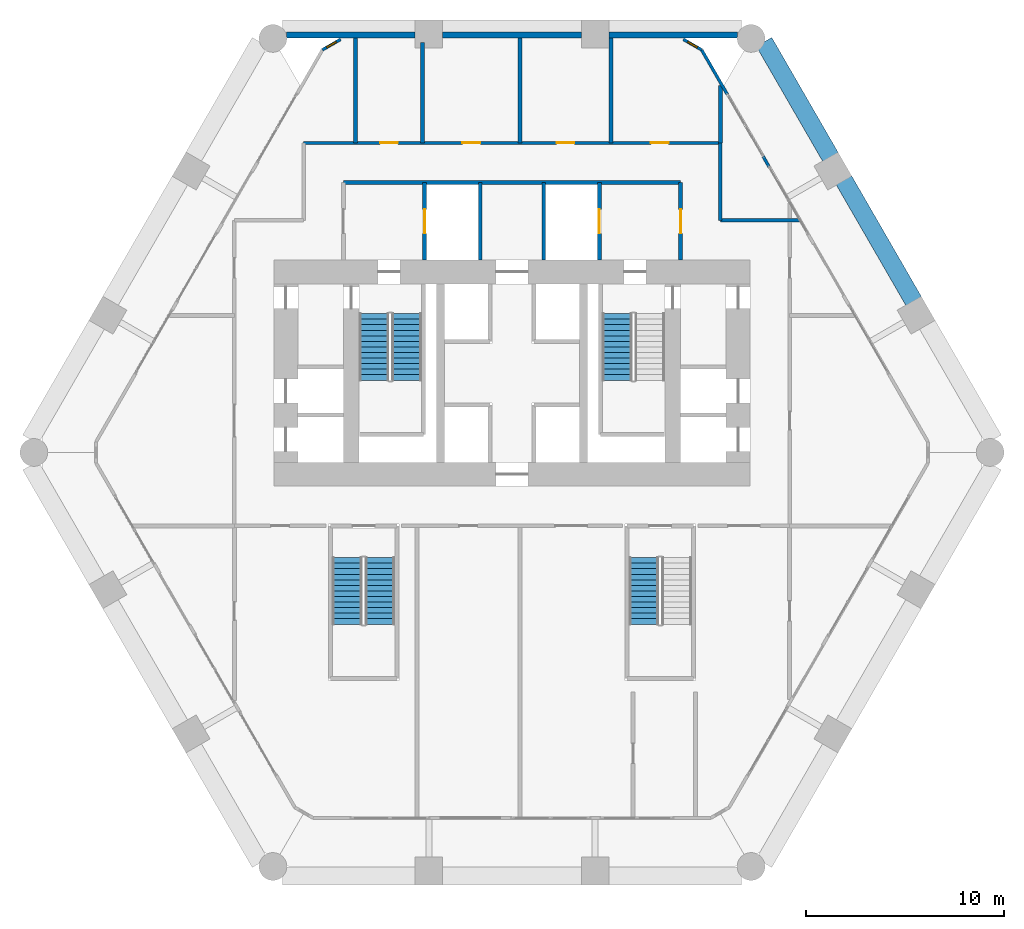
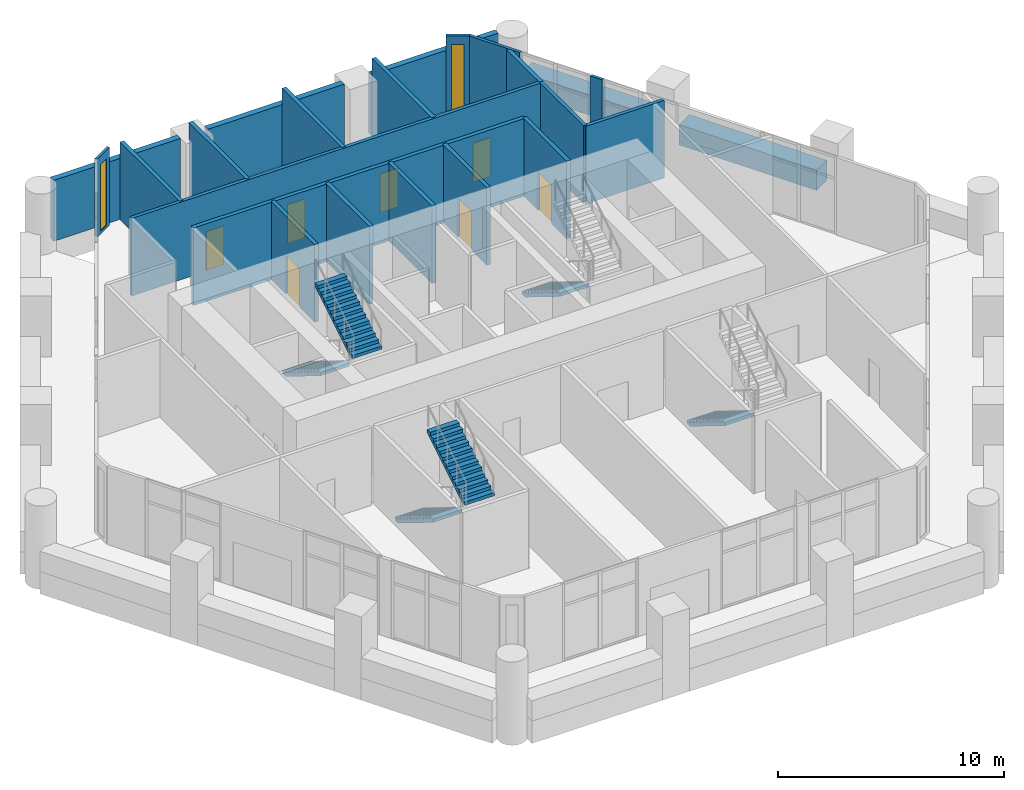
# One storey, part 16 of 18: 23 walls, 7 doors, 6 stair flights, 2 windows, 9 openings, 4 elements without a shape of their own.
"""IFC4 building model written with IfcOpenShell, lengths in metres."""

from ifc_helpers import new_model, si_unit, direction, frame, frame_2d, origin, place, context, subcontext, project, spatial, polyline, rectangle, outline, extrude, material, layer, layer_set, type_object, element, fill, aggregate, save


model = new_model("IFC4")

# Units and contexts
model_context = context("Model", 3, precision=1e-05, world=origin(), true_north=direction((0.0, 1.0)))
body_context = subcontext(model_context, "Body", "Model", "MODEL_VIEW")
ifc_project = project(units=[si_unit("LENGTHUNIT", "METRE"), si_unit("AREAUNIT", "SQUARE_METRE"), si_unit("VOLUMEUNIT", "CUBIC_METRE"), si_unit("PLANEANGLEUNIT", "RADIAN"), si_unit("MASSUNIT", "GRAM", prefix="KILO")], contexts=[model_context])

# Site, building, storey
site_placement = place(None, origin())
site = spatial("IfcSite", under=ifc_project, at=site_placement, CompositionType="ELEMENT")
building_placement = place(site_placement, origin())
building = spatial("IfcBuilding", under=site, at=building_placement, Name="Ostrander Bayou Hotel Tower", CompositionType="ELEMENT")
storey_placement = place(building_placement, frame((0.0, 0.0, 19.0)))
storey = spatial("IfcBuildingStorey", under=building, at=storey_placement, Name="L04", CompositionType="ELEMENT", Elevation=19.0)

# Walls
ifc_material_1 = material(Name="Aluminium framed insulated wall", Category="aluminium")
ifc_layer_1 = layer(ifc_material_1, 0.14990234375)
ifc_layer_set_1 = layer_set([ifc_layer_1], Name="GW1 glass-line wall 150 mm")
wall_type_1 = type_object("IfcWallType", Name="GW1 glass-line wall 150 mm", PredefinedType="SOLIDWALL", material=ifc_layer_set_1)
wall_1_placement = place(storey_placement, frame((10.8564453125, 18.0458984375, 0.0), z_axis=(0.0, 0.0, 1.0), x_axis=(-0.499945140294, 0.866057074734, 0.0)))
element("IfcWall", 1, at=wall_1_placement, inside=storey, type_object=wall_type_1, Name="GW1 L04 NE end 2", PredefinedType="SOLIDWALL", context=body_context, shape_type="SweptSolid", body=[
    extrude(rectangle(XDim=2.593994140625, YDim=0.14990234375, at=frame_2d((1.296875, 0.0))), origin(), (0.0, 0.0, 1.0), 4.199951171875),
])
wall_2_placement = place(storey_placement, frame((12.95654296875, 14.40869140625, 0.0), z_axis=(0.0, 0.0, 1.0), x_axis=(-0.50012165622, 0.865955154139, 0.0)))
element("IfcWall", 2, at=wall_2_placement, inside=storey, type_object=wall_type_1, Name="GW1 L04 NE pier 5", PredefinedType="SOLIDWALL", context=body_context, shape_type="SweptSolid", body=[
    extrude(rectangle(XDim=0.599853515625, YDim=0.14990234375, at=frame_2d((0.2998046875, 0.0))), origin(), (0.0, 0.0, 1.0), 4.199951171875),
])

# Wall, opening, window
wall_3_placement = place(storey_placement, frame((-8.63720703125, 20.824951171875, 0.0), z_axis=(0.0, 0.0, 1.0), x_axis=(-0.866048165231, -0.499960573946, 0.0)))
wall_3 = element("IfcWall", 3, at=wall_3_placement, inside=storey, type_object=wall_type_1, Name="GW1 L04 corner 1", PredefinedType="SOLIDWALL", context=body_context, shape_type="SweptSolid", body=[
    extrude(rectangle(XDim=1.06494140625, YDim=0.14990234375, at=frame_2d((0.532470703125, 0.0))), origin(), (0.0, 0.0, 1.0), 4.199951171875),
])
opening_1_placement = place(wall_3_placement, frame((0.257568359375, 0.0, 0.14990234375)))
opening_1 = element("IfcOpeningElement", 4, at=opening_1_placement, cuts=wall_3, Name="Opening W19", PredefinedType="OPENING", context=body_context, shape_type="SweptSolid", body=[
    extrude(rectangle(XDim=0.550048828125, YDim=3.60009765625, at=frame_2d((0.27490234375, 1.800048828125))), frame((0.0, 0.074951171875, 0.0), z_axis=(0.0, -1.0, 0.0), x_axis=(1.0, 0.0, 0.0)), (0.0, 0.0, 1.0), 0.14990234375),
])
ifc_material_2 = material(Name="Aluminium and clear glass", Category="aluminium")
window_type = type_object("IfcWindowType", Name="W19 corner window 550 mm", PartitioningType="SINGLE_PANEL", PredefinedType="WINDOW", material=ifc_material_2)
window_1_placement = place(opening_1_placement, origin())
window_1 = element("IfcWindow", 5, at=window_1_placement, inside=storey, type_object=window_type, Name="W19 L04 corner 1", OverallHeight=3.60009765625, OverallWidth=0.550048828125, PartitioningType="SINGLE_PANEL", PredefinedType="WINDOW", context=body_context, shape_type="SweptSolid", body=[
    extrude(rectangle(XDim=0.550048828125, YDim=3.60009765625, at=frame_2d((0.27490234375, 1.800048828125))), frame((0.0, 0.030029296875, 0.0), z_axis=(0.0, -1.0, 0.0), x_axis=(1.0, 0.0, 0.0)), (0.0, 0.0, 1.0), 0.06005859375),
])
fill(opening_1, window_1)

wall_4_placement = place(storey_placement, frame((9.5595703125, 20.29248046875, 0.0), z_axis=(0.0, 0.0, 1.0), x_axis=(-0.866048165231, 0.499960573946, 0.0)))
wall_4 = element("IfcWall", 6, at=wall_4_placement, inside=storey, type_object=wall_type_1, Name="GW1 L04 corner 6", PredefinedType="SOLIDWALL", context=body_context, shape_type="SweptSolid", body=[
    extrude(rectangle(XDim=1.06494140625, YDim=0.14990234375, at=frame_2d((0.532470703125, 0.0))), origin(), (0.0, 0.0, 1.0), 4.199951171875),
])
opening_2_placement = place(wall_4_placement, frame((0.257568359375, 0.0, 0.14990234375)))
opening_2 = element("IfcOpeningElement", 7, at=opening_2_placement, cuts=wall_4, Name="Opening W19", PredefinedType="OPENING", context=body_context, shape_type="SweptSolid", body=[
    extrude(rectangle(XDim=0.550048828125, YDim=3.60009765625, at=frame_2d((0.27490234375, 1.800048828125))), frame((0.0, 0.074951171875, 0.0), z_axis=(0.0, -1.0, 0.0), x_axis=(1.0, 0.0, 0.0)), (0.0, 0.0, 1.0), 0.14990234375),
])
window_2_placement = place(opening_2_placement, origin())
window_2 = element("IfcWindow", 8, at=window_2_placement, inside=storey, type_object=window_type, Name="W19 L04 corner 6", OverallHeight=3.60009765625, OverallWidth=0.550048828125, PartitioningType="SINGLE_PANEL", PredefinedType="WINDOW", context=body_context, shape_type="SweptSolid", body=[
    extrude(rectangle(XDim=0.550048828125, YDim=3.60009765625, at=frame_2d((0.27490234375, 1.800048828125))), frame((0.0, 0.030029296875, 0.0), z_axis=(0.0, -1.0, 0.0), x_axis=(1.0, 0.0, 0.0)), (0.0, 0.0, 1.0), 0.06005859375),
])
fill(opening_2, window_2)

# Walls
ifc_material_3 = material(Name="Reconstituted stone on masonry backing", Category="masonry")
ifc_layer_2 = layer(ifc_material_3, 0.300048828125)
ifc_layer_set_2 = layer_set([ifc_layer_2], Name="NW1 north stone wall 300 mm")
wall_type_2 = type_object("IfcWallType", Name="NW1 north stone wall 300 mm", PredefinedType="SOLIDWALL", material=ifc_layer_set_2)
wall_5_placement = place(storey_placement, frame((11.376708984375, 21.050048828125, 0.0), z_axis=(0.0, 0.0, 1.0), x_axis=(-1.0, 0.0, 0.0)))
element("IfcWall", 9, at=wall_5_placement, inside=storey, type_object=wall_type_2, Name="NW1 L04 N-1", PredefinedType="SOLIDWALL", context=body_context, shape_type="SweptSolid", body=[
    extrude(rectangle(XDim=6.481201171875, YDim=0.300048828125, at=frame_2d((3.24072265625, 0.0))), origin(), (0.0, 0.0, 1.0), 3.300048828125),
])
wall_6_placement = place(storey_placement, frame((3.495361328125, 21.050048828125, 0.0), z_axis=(0.0, 0.0, 1.0), x_axis=(-1.0, 0.0, 0.0)))
element("IfcWall", 10, at=wall_6_placement, inside=storey, type_object=wall_type_2, Name="NW1 L04 N-2", PredefinedType="SOLIDWALL", context=body_context, shape_type="SweptSolid", body=[
    extrude(rectangle(XDim=6.99072265625, YDim=0.300048828125, at=frame_2d((3.495361328125, 0.0))), origin(), (0.0, 0.0, 1.0), 3.300048828125),
])
wall_7_placement = place(storey_placement, frame((-4.8955078125, 21.050048828125, 0.0), z_axis=(0.0, 0.0, 1.0), x_axis=(-1.0, 0.0, 0.0)))
element("IfcWall", 11, at=wall_7_placement, inside=storey, type_object=wall_type_2, Name="NW1 L04 N-3", PredefinedType="SOLIDWALL", context=body_context, shape_type="SweptSolid", body=[
    extrude(rectangle(XDim=6.481201171875, YDim=0.300048828125, at=frame_2d((3.24072265625, 0.0))), origin(), (0.0, 0.0, 1.0), 3.300048828125),
])
ifc_material_4 = material(Name="Concrete f'c 40 MPa", Category="concrete")
ifc_layer_3 = layer(ifc_material_4, 0.89990234375)
ifc_layer_set_3 = layer_set([ifc_layer_3], Name="PA1 stone-faced parapet 900 mm")
wall_type_3 = type_object("IfcWallType", Name="PA1 stone-faced parapet 900 mm", PredefinedType="PARAPET", material=ifc_layer_set_3)
wall_8_placement = place(storey_placement, frame((20.252197265625, 7.621826171875, 0.0), z_axis=(0.0, 0.0, 1.0), x_axis=(-0.499997206141, 0.866027016814, 0.0)))
element("IfcWall", 12, at=wall_8_placement, inside=storey, type_object=wall_type_3, Name="PA1 L04 NE-2", PredefinedType="PARAPET", context=body_context, shape_type="SweptSolid", body=[
    extrude(rectangle(XDim=7.05078125, YDim=0.89990234375, at=frame_2d((3.525390625, 0.0))), origin(), (0.0, 0.0, 1.0), 1.10009765625),
])
wall_9_placement = place(storey_placement, frame((16.056884765625, 14.888671875, 0.0), z_axis=(0.0, 0.0, 1.0), x_axis=(-0.500005133765, 0.866022439784, 0.0)))
element("IfcWall", 13, at=wall_9_placement, inside=storey, type_object=wall_type_3, Name="PA1 L04 NE-3", PredefinedType="PARAPET", context=body_context, shape_type="SweptSolid", body=[
    extrude(rectangle(XDim=6.70361328125, YDim=0.89990234375, at=frame_2d((3.351806640625, 0.0))), origin(), (0.0, 0.0, 1.0), 1.10009765625),
])
ifc_material_5 = material(Name="Gypsum board partition", Category="finish")
ifc_layer_4 = layer(ifc_material_5, 0.199951171875)
ifc_layer_set_4 = layer_set([ifc_layer_4], Name="PT3 demising wall 200 mm acoustic double stud, 1 hour")
wall_type_4 = type_object("IfcWallType", Name="PT3 demising wall 200 mm acoustic double stud, 1 hour", PredefinedType="PARTITIONING", material=ifc_layer_set_4)
wall_10_placement = place(storey_placement, frame((-7.89990234375, 15.60009765625, 0.0), z_axis=(0.0, 0.0, 1.0), x_axis=(0.0, 1.0, 0.0)))
element("IfcWall", 14, at=wall_10_placement, inside=storey, type_object=wall_type_4, Name="sw:L04:016", PredefinedType="PARTITIONING", context=body_context, shape_type="SweptSolid", body=[
    extrude(rectangle(XDim=5.294921875, YDim=0.199951171875, at=frame_2d((2.6474609375, 0.0))), origin(), (0.0, 0.0, 1.0), 4.199951171875),
])
wall_11_placement = place(storey_placement, frame((-4.5, 15.60009765625, 0.0), z_axis=(0.0, 0.0, 1.0), x_axis=(0.0, 1.0, 0.0)))
element("IfcWall", 15, at=wall_11_placement, inside=storey, type_object=wall_type_4, Name="sw:L04:018", PredefinedType="PARTITIONING", context=body_context, shape_type="SweptSolid", body=[
    extrude(rectangle(XDim=5.06982421875, YDim=0.199951171875, at=frame_2d((2.534912109375, 0.0))), origin(), (0.0, 0.0, 1.0), 4.199951171875),
])
for number, where, z_axis, x_axis, name in (
    (16, (0.39990234375, 15.60009765625, 0.0), (0.0, 0.0, 1.0), (0.0, 1.0, 0.0), "sw:L04:020"),
    (17, (5.0, 15.60009765625, 0.0), (0.0, 0.0, 1.0), (0.0, 1.0, 0.0), "sw:L04:021"),
):
    element("IfcWall", number, at=place(storey_placement, frame(where, z_axis=z_axis, x_axis=x_axis)), inside=storey, type_object=wall_type_4, Name=name, PredefinedType="PARTITIONING", context=body_context, shape_type="SweptSolid", body=[
        extrude(rectangle(XDim=5.294921875, YDim=0.199951171875, at=frame_2d((2.6474609375, 0.0))), origin(), (0.0, 0.0, 1.0), 4.199951171875),
    ])
wall_12_placement = place(storey_placement, frame((10.5, 15.60009765625, 0.0), z_axis=(0.0, 0.0, 1.0), x_axis=(0.0, 1.0, 0.0)))
element("IfcWall", 18, at=wall_12_placement, inside=storey, type_object=wall_type_4, Name="sw:L04:024", PredefinedType="PARTITIONING", context=body_context, shape_type="SweptSolid", body=[
    extrude(rectangle(XDim=2.908447265625, YDim=0.199951171875, at=frame_2d((1.4541015625, 0.0))), origin(), (0.0, 0.0, 1.0), 4.199951171875),
])
ifc_material_6 = material(Name="Gypsum board partition", Category="finish")
ifc_layer_5 = layer(ifc_material_6, 0.175048828125)
ifc_layer_set_5 = layer_set([ifc_layer_5], Name="PT4 corridor wall 175 mm, 1 hour")
wall_type_5 = type_object("IfcWallType", Name="PT4 corridor wall 175 mm, 1 hour", PredefinedType="PARTITIONING", material=ifc_layer_set_5)
wall_13_placement = place(storey_placement, frame((10.5, 11.699951171875, 0.0), z_axis=(0.0, 0.0, 1.0), x_axis=(1.0, 0.0, 0.0)))
element("IfcWall", 19, at=wall_13_placement, inside=storey, type_object=wall_type_5, Name="sw:L04:005", PredefinedType="PARTITIONING", context=body_context, shape_type="SweptSolid", body=[
    extrude(rectangle(XDim=3.999267578125, YDim=0.175048828125, at=frame_2d((1.99951171875, 0.0))), origin(), (0.0, 0.0, 1.0), 4.199951171875),
])

# Wall, openings, doors
wall_14_placement = place(storey_placement, frame((-10.5, 15.60009765625, 0.0), z_axis=(0.0, 0.0, 1.0), x_axis=(1.0, 0.0, 0.0)))
wall_14 = element("IfcWall", 20, at=wall_14_placement, inside=storey, type_object=wall_type_5, Name="sw:L04:006", PredefinedType="PARTITIONING", context=body_context, shape_type="SweptSolid", body=[
    extrude(rectangle(XDim=21.0, YDim=0.175048828125, at=frame_2d((10.5, 0.0))), origin(), (0.0, 0.0, 1.0), 4.199951171875),
])
opening_3_placement = place(wall_14_placement, frame((3.85009765625, 0.0, 0.0)))
opening_3 = element("IfcOpeningElement", 21, at=opening_3_placement, cuts=wall_14, Name="Opening T04-210", PredefinedType="OPENING", context=body_context, shape_type="SweptSolid", body=[
    extrude(rectangle(XDim=0.89990234375, YDim=2.10009765625, at=frame_2d((0.449951171875, 1.050048828125))), frame((0.0, 0.08740234375, 0.0), z_axis=(0.0, -1.0, 0.0), x_axis=(1.0, 0.0, 0.0)), (0.0, 0.0, 1.0), 0.175048828125),
])
opening_4_placement = place(wall_14_placement, frame((8.0, 0.0, 0.0)))
opening_4 = element("IfcOpeningElement", 22, at=opening_4_placement, cuts=wall_14, Name="Opening T04-211", PredefinedType="OPENING", context=body_context, shape_type="SweptSolid", body=[
    extrude(rectangle(XDim=0.89990234375, YDim=2.10009765625, at=frame_2d((0.449951171875, 1.050048828125))), frame((0.0, 0.08740234375, 0.0), z_axis=(0.0, -1.0, 0.0), x_axis=(1.0, 0.0, 0.0)), (0.0, 0.0, 1.0), 0.175048828125),
])
opening_5_placement = place(wall_14_placement, frame((12.75, 0.0, 0.0)))
opening_5 = element("IfcOpeningElement", 23, at=opening_5_placement, cuts=wall_14, Name="Opening T04-212", PredefinedType="OPENING", context=body_context, shape_type="SweptSolid", body=[
    extrude(rectangle(XDim=0.89990234375, YDim=2.10009765625, at=frame_2d((0.449951171875, 1.050048828125))), frame((0.0, 0.08740234375, 0.0), z_axis=(0.0, -1.0, 0.0), x_axis=(1.0, 0.0, 0.0)), (0.0, 0.0, 1.0), 0.175048828125),
])
opening_6_placement = place(wall_14_placement, frame((17.5, 0.0, 0.0)))
opening_6 = element("IfcOpeningElement", 24, at=opening_6_placement, cuts=wall_14, Name="Opening T04-213", PredefinedType="OPENING", context=body_context, shape_type="SweptSolid", body=[
    extrude(rectangle(XDim=0.89990234375, YDim=2.10009765625, at=frame_2d((0.449951171875, 1.050048828125))), frame((0.0, 0.08740234375, 0.0), z_axis=(0.0, -1.0, 0.0), x_axis=(1.0, 0.0, 0.0)), (0.0, 0.0, 1.0), 0.175048828125),
])
ifc_material_7 = material(Name="Timber door leaf", Category="wood")
door_type_1 = type_object("IfcDoorType", Name="D8 room door 900 x 2100 mm", OperationType="SINGLE_SWING_LEFT", PredefinedType="DOOR", material=ifc_material_7)
door_1_placement = place(opening_3_placement, origin())
door_1 = element("IfcDoor", 25, at=door_1_placement, inside=storey, type_object=door_type_1, Name="dr:L04:210", OperationType="SINGLE_SWING_RIGHT", OverallHeight=2.10009765625, OverallWidth=0.89990234375, PredefinedType="DOOR", context=body_context, shape_type="SweptSolid", body=[
    extrude(rectangle(XDim=0.89990234375, YDim=2.10009765625, at=frame_2d((0.449951171875, 1.050048828125))), frame((0.0, 0.02490234375, 0.0), z_axis=(0.0, -1.0, 0.0), x_axis=(1.0, 0.0, 0.0)), (0.0, 0.0, 1.0), 0.050048828125),
])
fill(opening_3, door_1)
door_2_placement = place(opening_4_placement, origin())
door_2 = element("IfcDoor", 26, at=door_2_placement, inside=storey, type_object=door_type_1, Name="dr:L04:211", OperationType="SINGLE_SWING_LEFT", OverallHeight=2.10009765625, OverallWidth=0.89990234375, PredefinedType="DOOR", context=body_context, shape_type="SweptSolid", body=[
    extrude(rectangle(XDim=0.89990234375, YDim=2.10009765625, at=frame_2d((0.449951171875, 1.050048828125))), frame((0.0, 0.02490234375, 0.0), z_axis=(0.0, -1.0, 0.0), x_axis=(1.0, 0.0, 0.0)), (0.0, 0.0, 1.0), 0.050048828125),
])
fill(opening_4, door_2)
door_3_placement = place(opening_5_placement, origin())
door_3 = element("IfcDoor", 27, at=door_3_placement, inside=storey, type_object=door_type_1, Name="dr:L04:212", OperationType="SINGLE_SWING_RIGHT", OverallHeight=2.10009765625, OverallWidth=0.89990234375, PredefinedType="DOOR", context=body_context, shape_type="SweptSolid", body=[
    extrude(rectangle(XDim=0.89990234375, YDim=2.10009765625, at=frame_2d((0.449951171875, 1.050048828125))), frame((0.0, 0.02490234375, 0.0), z_axis=(0.0, -1.0, 0.0), x_axis=(1.0, 0.0, 0.0)), (0.0, 0.0, 1.0), 0.050048828125),
])
fill(opening_5, door_3)
door_4_placement = place(opening_6_placement, origin())
door_4 = element("IfcDoor", 28, at=door_4_placement, inside=storey, type_object=door_type_1, Name="dr:L04:213", OperationType="SINGLE_SWING_LEFT", OverallHeight=2.10009765625, OverallWidth=0.89990234375, PredefinedType="DOOR", context=body_context, shape_type="SweptSolid", body=[
    extrude(rectangle(XDim=0.89990234375, YDim=2.10009765625, at=frame_2d((0.449951171875, 1.050048828125))), frame((0.0, 0.02490234375, 0.0), z_axis=(0.0, -1.0, 0.0), x_axis=(1.0, 0.0, 0.0)), (0.0, 0.0, 1.0), 0.050048828125),
])
fill(opening_6, door_4)

# Walls
wall_15_placement = place(storey_placement, frame((10.5, 11.699951171875, 0.0), z_axis=(0.0, 0.0, 1.0), x_axis=(0.0, 1.0, 0.0)))
element("IfcWall", 29, at=wall_15_placement, inside=storey, type_object=wall_type_5, Name="sw:L04:009", PredefinedType="PARTITIONING", context=body_context, shape_type="SweptSolid", body=[
    extrude(rectangle(XDim=3.900146484375, YDim=0.175048828125, at=frame_2d((1.9501953125, 0.0))), origin(), (0.0, 0.0, 1.0), 4.199951171875),
])
ifc_material_8 = material(Name="Masonry block", Category="masonry")
ifc_layer_6 = layer(ifc_material_8, 0.199951171875)
ifc_layer_set_6 = layer_set([ifc_layer_6], Name="PT5 stair enclosure wall 200 mm masonry, 2 hour")
wall_type_6 = type_object("IfcWallType", Name="PT5 stair enclosure wall 200 mm masonry, 2 hour", PredefinedType="PARTITIONING", material=ifc_layer_set_6)
wall_16_placement = place(storey_placement, frame((-8.5, 13.60009765625, 0.0), z_axis=(0.0, 0.0, 1.0), x_axis=(1.0, 0.0, 0.0)))
element("IfcWall", 30, at=wall_16_placement, inside=storey, type_object=wall_type_6, Name="cs:L04:021", PredefinedType="PARTITIONING", context=body_context, shape_type="SweptSolid", body=[
    extrude(rectangle(XDim=17.0, YDim=0.199951171875, at=frame_2d((8.5, 0.0))), origin(), (0.0, 0.0, 1.0), 4.199951171875),
])

# Wall, opening, door
wall_17_placement = place(storey_placement, frame((8.5, 9.699951171875, 0.0), z_axis=(0.0, 0.0, 1.0), x_axis=(0.0, 1.0, 0.0)))
wall_17 = element("IfcWall", 31, at=wall_17_placement, inside=storey, type_object=wall_type_6, Name="cs:L04:023", PredefinedType="PARTITIONING", context=body_context, shape_type="SweptSolid", body=[
    extrude(rectangle(XDim=3.900146484375, YDim=0.199951171875, at=frame_2d((1.9501953125, 0.0))), origin(), (0.0, 0.0, 1.0), 4.199951171875),
])
opening_7_placement = place(wall_17_placement, frame((1.35009765625, 0.0, 0.0)))
opening_7 = element("IfcOpeningElement", 32, at=opening_7_placement, cuts=wall_17, Name="Opening T04-012", PredefinedType="OPENING", context=body_context, shape_type="SweptSolid", body=[
    extrude(rectangle(XDim=1.199951171875, YDim=2.10009765625, at=frame_2d((0.60009765625, 1.050048828125))), frame((0.0, 0.10009765625, 0.0), z_axis=(0.0, -1.0, 0.0), x_axis=(1.0, 0.0, 0.0)), (0.0, 0.0, 1.0), 0.199951171875),
])
ifc_material_9 = material(Name="Timber door leaf", Category="wood")
door_type_2 = type_object("IfcDoorType", Name="D7 lobby door 1200 x 2100 mm, 1 hour", OperationType="SINGLE_SWING_LEFT", PredefinedType="DOOR", material=ifc_material_9)
door_5_placement = place(opening_7_placement, origin())
door_5 = element("IfcDoor", 33, at=door_5_placement, inside=storey, type_object=door_type_2, Name="dr:L04:012", OperationType="SINGLE_SWING_LEFT", OverallHeight=2.10009765625, OverallWidth=1.199951171875, PredefinedType="DOOR", context=body_context, shape_type="SweptSolid", body=[
    extrude(rectangle(XDim=1.199951171875, YDim=2.10009765625, at=frame_2d((0.60009765625, 1.050048828125))), frame((0.0, 0.02490234375, 0.0), z_axis=(0.0, -1.0, 0.0), x_axis=(1.0, 0.0, 0.0)), (0.0, 0.0, 1.0), 0.050048828125),
])
fill(opening_7, door_5)

wall_18_placement = place(storey_placement, frame((-4.39990234375, 9.699951171875, 0.0), z_axis=(0.0, 0.0, 1.0), x_axis=(0.0, 1.0, 0.0)))
wall_18 = element("IfcWall", 34, at=wall_18_placement, inside=storey, type_object=wall_type_6, Name="cs:L04:024", PredefinedType="PARTITIONING", context=body_context, shape_type="SweptSolid", body=[
    extrude(rectangle(XDim=3.900146484375, YDim=0.199951171875, at=frame_2d((1.9501953125, 0.0))), origin(), (0.0, 0.0, 1.0), 4.199951171875),
])
opening_8_placement = place(wall_18_placement, frame((1.35009765625, 0.0, 0.0)))
opening_8 = element("IfcOpeningElement", 35, at=opening_8_placement, cuts=wall_18, Name="Opening T04-009", PredefinedType="OPENING", context=body_context, shape_type="SweptSolid", body=[
    extrude(rectangle(XDim=1.199951171875, YDim=2.10009765625, at=frame_2d((0.60009765625, 1.050048828125))), frame((0.0, 0.10009765625, 0.0), z_axis=(0.0, -1.0, 0.0), x_axis=(1.0, 0.0, 0.0)), (0.0, 0.0, 1.0), 0.199951171875),
])
ifc_material_10 = material(Name="Stainless steel sliding door", Category="steel")
door_type_3 = type_object("IfcDoorType", Name="LD1 lift landing door 1200 x 2100 mm", OperationType="SINGLE_SWING_LEFT", PredefinedType="DOOR", material=ifc_material_10)
door_6_placement = place(opening_8_placement, origin())
door_6 = element("IfcDoor", 36, at=door_6_placement, inside=storey, type_object=door_type_3, Name="dr:L04:009", OperationType="SLIDING_TO_LEFT", OverallHeight=2.10009765625, OverallWidth=1.199951171875, PredefinedType="DOOR", context=body_context, shape_type="SweptSolid", body=[
    extrude(rectangle(XDim=1.199951171875, YDim=2.10009765625, at=frame_2d((0.60009765625, 1.050048828125))), frame((0.0, 0.02490234375, 0.0), z_axis=(0.0, -1.0, 0.0), x_axis=(1.0, 0.0, 0.0)), (0.0, 0.0, 1.0), 0.050048828125),
])
fill(opening_8, door_6)

wall_19_placement = place(storey_placement, frame((4.39990234375, 9.699951171875, 0.0), z_axis=(0.0, 0.0, 1.0), x_axis=(0.0, 1.0, 0.0)))
wall_19 = element("IfcWall", 37, at=wall_19_placement, inside=storey, type_object=wall_type_6, Name="cs:L04:025", PredefinedType="PARTITIONING", context=body_context, shape_type="SweptSolid", body=[
    extrude(rectangle(XDim=3.900146484375, YDim=0.199951171875, at=frame_2d((1.9501953125, 0.0))), origin(), (0.0, 0.0, 1.0), 4.199951171875),
])
opening_9_placement = place(wall_19_placement, frame((1.35009765625, 0.0, 0.0)))
opening_9 = element("IfcOpeningElement", 38, at=opening_9_placement, cuts=wall_19, Name="Opening T04-011", PredefinedType="OPENING", context=body_context, shape_type="SweptSolid", body=[
    extrude(rectangle(XDim=1.199951171875, YDim=2.10009765625, at=frame_2d((0.60009765625, 1.050048828125))), frame((0.0, 0.10009765625, 0.0), z_axis=(0.0, -1.0, 0.0), x_axis=(1.0, 0.0, 0.0)), (0.0, 0.0, 1.0), 0.199951171875),
])
door_7_placement = place(opening_9_placement, origin())
door_7 = element("IfcDoor", 39, at=door_7_placement, inside=storey, type_object=door_type_3, Name="dr:L04:011", OperationType="SLIDING_TO_LEFT", OverallHeight=2.10009765625, OverallWidth=1.199951171875, PredefinedType="DOOR", context=body_context, shape_type="SweptSolid", body=[
    extrude(rectangle(XDim=1.199951171875, YDim=2.10009765625, at=frame_2d((0.60009765625, 1.050048828125))), frame((0.0, 0.02490234375, 0.0), z_axis=(0.0, -1.0, 0.0), x_axis=(1.0, 0.0, 0.0)), (0.0, 0.0, 1.0), 0.050048828125),
])
fill(opening_9, door_7)

# Walls
ifc_material_11 = material(Name="Masonry block", Category="masonry")
ifc_layer_7 = layer(ifc_material_11, 0.199951171875)
ifc_layer_set_7 = layer_set([ifc_layer_7], Name="PT6 lift shaft wall 200 mm masonry, 2 hour")
wall_type_7 = type_object("IfcWallType", Name="PT6 lift shaft wall 200 mm masonry, 2 hour", PredefinedType="PARTITIONING", material=ifc_layer_set_7)
for number, where, z_axis, x_axis, name in (
    (40, (-1.60009765625, 9.699951171875, 0.0), (0.0, 0.0, 1.0), (0.0, 1.0, 0.0), "cs:L04:026"),
    (41, (1.60009765625, 9.699951171875, 0.0), (0.0, 0.0, 1.0), (0.0, 1.0, 0.0), "cs:L04:027"),
):
    element("IfcWall", number, at=place(storey_placement, frame(where, z_axis=z_axis, x_axis=x_axis)), inside=storey, type_object=wall_type_7, Name=name, PredefinedType="PARTITIONING", context=body_context, shape_type="SweptSolid", body=[
        extrude(rectangle(XDim=3.900146484375, YDim=0.199951171875, at=frame_2d((1.9501953125, 0.0))), origin(), (0.0, 0.0, 1.0), 4.199951171875),
    ])

# Stair, stair flights
ifc_material_12 = material(Name="Concrete f'c 45 MPa", Category="concrete")
stair_type = type_object("IfcStairType", Name="ST1 exit stair 1500 mm f'c 45 MPa", PredefinedType="HALF_TURN_STAIR", material=ifc_material_12)
stair_1_placement = place(storey_placement, origin())
stair_1 = element("IfcStair", 42, at=stair_1_placement, inside=storey, type_object=stair_type, Name="L04 exit stair A", PredefinedType="HALF_TURN_STAIR")
ifc_material_13 = material(Name="Concrete f'c 45 MPa", Category="concrete")
stair_flight_type = type_object("IfcStairFlightType", Name="SF1 stair flight 1500 mm f'c 45 MPa", PredefinedType="STRAIGHT", material=ifc_material_13)
stair_flight_1_placement = place(storey_placement, frame((-6.949951171875, 7.0, 0.0), z_axis=(0.0, 0.0, 1.0), x_axis=(0.0, -1.0, 0.0)))
stair_flight_1 = element("IfcStairFlight", 43, at=stair_flight_1_placement, type_object=stair_flight_type, Name="STA flight 1", NumberOfRisers=13, NumberOfTreads=12, PredefinedType="STRAIGHT", RiserHeight=0.173076923, TreadLength=0.28, context=body_context, shape_type="SweptSolid", body=[
    extrude(outline(polyline([(0.0, 0.0), (0.0, 0.173095703125), (0.280029296875, 0.173095703125), (0.280029296875, 0.34619140625), (0.56005859375, 0.34619140625), (0.56005859375, 0.519287109375), (0.840087890625, 0.519287109375), (0.840087890625, 0.6923828125), (1.1201171875, 0.6923828125), (1.1201171875, 0.865478515625), (1.39990234375, 0.865478515625), (1.39990234375, 1.03857421875), (1.679931640625, 1.03857421875), (1.679931640625, 1.21142578125), (1.9599609375, 1.21142578125), (1.9599609375, 1.384521484375), (2.239990234375, 1.384521484375), (2.239990234375, 1.5576171875), (2.52001953125, 1.5576171875), (2.52001953125, 1.730712890625), (2.800048828125, 1.730712890625), (2.800048828125, 1.90380859375), (3.080078125, 1.90380859375), (3.080078125, 2.076904296875), (3.360107421875, 2.076904296875), (3.360107421875, 2.25), (3.360107421875, 1.900634765625), (0.28515625, 0.0), (0.0, 0.0)])), frame((0.0, 0.75, 0.0), z_axis=(0.0, -1.0, 0.0), x_axis=(1.0, 0.0, 0.0)), (0.0, 0.0, 1.0), 1.5),
])
stair_flight_2_placement = place(storey_placement, frame((-5.300048828125, 3.639892578125, 2.25), z_axis=(0.0, 0.0, 1.0), x_axis=(0.0, 1.0, 0.0)))
stair_flight_2 = element("IfcStairFlight", 44, at=stair_flight_2_placement, type_object=stair_flight_type, Name="STA flight 2", NumberOfRisers=13, NumberOfTreads=12, PredefinedType="STRAIGHT", RiserHeight=0.173076923, TreadLength=0.28, context=body_context, shape_type="SweptSolid", body=[
    extrude(outline(polyline([(0.0, 0.0), (0.0, 0.173095703125), (0.280029296875, 0.173095703125), (0.280029296875, 0.34619140625), (0.56005859375, 0.34619140625), (0.56005859375, 0.519287109375), (0.840087890625, 0.519287109375), (0.840087890625, 0.6923828125), (1.1201171875, 0.6923828125), (1.1201171875, 0.865478515625), (1.39990234375, 0.865478515625), (1.39990234375, 1.03857421875), (1.679931640625, 1.03857421875), (1.679931640625, 1.21142578125), (1.9599609375, 1.21142578125), (1.9599609375, 1.384521484375), (2.239990234375, 1.384521484375), (2.239990234375, 1.5576171875), (2.52001953125, 1.5576171875), (2.52001953125, 1.730712890625), (2.800048828125, 1.730712890625), (2.800048828125, 1.90380859375), (3.080078125, 1.90380859375), (3.080078125, 2.076904296875), (3.360107421875, 2.076904296875), (3.360107421875, 2.25), (3.360107421875, 1.900634765625), (0.28515625, 0.0), (0.0, 0.0)])), frame((0.0, 0.75, 0.0), z_axis=(0.0, -1.0, 0.0), x_axis=(1.0, 0.0, 0.0)), (0.0, 0.0, 1.0), 1.5),
])
aggregate(stair_1, [stair_flight_1, stair_flight_2])

# Stair, stair flight
stair_2_placement = place(storey_placement, origin())
stair_2 = element("IfcStair", 45, at=stair_2_placement, inside=storey, type_object=stair_type, Name="L04 exit stair B", PredefinedType="HALF_TURN_STAIR")
stair_flight_3_placement = place(storey_placement, frame((5.300048828125, 7.0, 0.0), z_axis=(0.0, 0.0, 1.0), x_axis=(0.0, -1.0, 0.0)))
stair_flight_3 = element("IfcStairFlight", 46, at=stair_flight_3_placement, type_object=stair_flight_type, Name="STB flight 1", NumberOfRisers=13, NumberOfTreads=12, PredefinedType="STRAIGHT", RiserHeight=0.173076923, TreadLength=0.28, context=body_context, shape_type="SweptSolid", body=[
    extrude(outline(polyline([(0.0, 0.0), (0.0, 0.173095703125), (0.280029296875, 0.173095703125), (0.280029296875, 0.34619140625), (0.56005859375, 0.34619140625), (0.56005859375, 0.519287109375), (0.840087890625, 0.519287109375), (0.840087890625, 0.6923828125), (1.1201171875, 0.6923828125), (1.1201171875, 0.865478515625), (1.39990234375, 0.865478515625), (1.39990234375, 1.03857421875), (1.679931640625, 1.03857421875), (1.679931640625, 1.21142578125), (1.9599609375, 1.21142578125), (1.9599609375, 1.384521484375), (2.239990234375, 1.384521484375), (2.239990234375, 1.5576171875), (2.52001953125, 1.5576171875), (2.52001953125, 1.730712890625), (2.800048828125, 1.730712890625), (2.800048828125, 1.90380859375), (3.080078125, 1.90380859375), (3.080078125, 2.076904296875), (3.360107421875, 2.076904296875), (3.360107421875, 2.25), (3.360107421875, 1.900634765625), (0.28515625, 0.0), (0.0, 0.0)])), frame((0.0, 0.75, 0.0), z_axis=(0.0, -1.0, 0.0), x_axis=(1.0, 0.0, 0.0)), (0.0, 0.0, 1.0), 1.5),
])
aggregate(stair_2, [stair_flight_3])

stair_3_placement = place(storey_placement, origin())
stair_3 = element("IfcStair", 47, at=stair_3_placement, inside=storey, type_object=stair_type, Name="L04 exit stair C", PredefinedType="HALF_TURN_STAIR")
stair_flight_4_placement = place(storey_placement, frame((6.64990234375, -5.300048828125, 0.0), z_axis=(0.0, 0.0, 1.0), x_axis=(0.0, -1.0, 0.0)))
stair_flight_4 = element("IfcStairFlight", 48, at=stair_flight_4_placement, type_object=stair_flight_type, Name="STC flight 1", NumberOfRisers=13, NumberOfTreads=12, PredefinedType="STRAIGHT", RiserHeight=0.173076923, TreadLength=0.28, context=body_context, shape_type="SweptSolid", body=[
    extrude(outline(polyline([(0.0, 0.0), (0.0, 0.173095703125), (0.280029296875, 0.173095703125), (0.280029296875, 0.34619140625), (0.56005859375, 0.34619140625), (0.56005859375, 0.519287109375), (0.840087890625, 0.519287109375), (0.840087890625, 0.6923828125), (1.1201171875, 0.6923828125), (1.1201171875, 0.865478515625), (1.39990234375, 0.865478515625), (1.39990234375, 1.03857421875), (1.679931640625, 1.03857421875), (1.679931640625, 1.21142578125), (1.9599609375, 1.21142578125), (1.9599609375, 1.384521484375), (2.239990234375, 1.384521484375), (2.239990234375, 1.5576171875), (2.52001953125, 1.5576171875), (2.52001953125, 1.730712890625), (2.800048828125, 1.730712890625), (2.800048828125, 1.90380859375), (3.080078125, 1.90380859375), (3.080078125, 2.076904296875), (3.360107421875, 2.076904296875), (3.360107421875, 2.25), (3.360107421875, 1.900634765625), (0.28515625, 0.0), (0.0, 0.0)])), frame((0.0, 0.75, 0.0), z_axis=(0.0, -1.0, 0.0), x_axis=(1.0, 0.0, 0.0)), (0.0, 0.0, 1.0), 1.5),
])
aggregate(stair_3, [stair_flight_4])

# Stair, stair flights
stair_4_placement = place(storey_placement, origin())
stair_4 = element("IfcStair", 49, at=stair_4_placement, inside=storey, type_object=stair_type, Name="L04 exit stair D", PredefinedType="HALF_TURN_STAIR")
stair_flight_5_placement = place(storey_placement, frame((-8.300048828125, -5.300048828125, 0.0), z_axis=(0.0, 0.0, 1.0), x_axis=(0.0, -1.0, 0.0)))
stair_flight_5 = element("IfcStairFlight", 50, at=stair_flight_5_placement, type_object=stair_flight_type, Name="STD flight 1", NumberOfRisers=13, NumberOfTreads=12, PredefinedType="STRAIGHT", RiserHeight=0.173076923, TreadLength=0.28, context=body_context, shape_type="SweptSolid", body=[
    extrude(outline(polyline([(0.0, 0.0), (0.0, 0.173095703125), (0.280029296875, 0.173095703125), (0.280029296875, 0.34619140625), (0.56005859375, 0.34619140625), (0.56005859375, 0.519287109375), (0.840087890625, 0.519287109375), (0.840087890625, 0.6923828125), (1.1201171875, 0.6923828125), (1.1201171875, 0.865478515625), (1.39990234375, 0.865478515625), (1.39990234375, 1.03857421875), (1.679931640625, 1.03857421875), (1.679931640625, 1.21142578125), (1.9599609375, 1.21142578125), (1.9599609375, 1.384521484375), (2.239990234375, 1.384521484375), (2.239990234375, 1.5576171875), (2.52001953125, 1.5576171875), (2.52001953125, 1.730712890625), (2.800048828125, 1.730712890625), (2.800048828125, 1.90380859375), (3.080078125, 1.90380859375), (3.080078125, 2.076904296875), (3.360107421875, 2.076904296875), (3.360107421875, 2.25), (3.360107421875, 1.900634765625), (0.28515625, 0.0), (0.0, 0.0)])), frame((0.0, 0.75, 0.0), z_axis=(0.0, -1.0, 0.0), x_axis=(1.0, 0.0, 0.0)), (0.0, 0.0, 1.0), 1.5),
])
stair_flight_6_placement = place(storey_placement, frame((-6.64990234375, -8.659912109375, 2.25), z_axis=(0.0, 0.0, 1.0), x_axis=(0.0, 1.0, 0.0)))
stair_flight_6 = element("IfcStairFlight", 51, at=stair_flight_6_placement, type_object=stair_flight_type, Name="STD flight 2", NumberOfRisers=13, NumberOfTreads=12, PredefinedType="STRAIGHT", RiserHeight=0.173076923, TreadLength=0.28, context=body_context, shape_type="SweptSolid", body=[
    extrude(outline(polyline([(0.0, 0.0), (0.0, 0.173095703125), (0.280029296875, 0.173095703125), (0.280029296875, 0.34619140625), (0.56005859375, 0.34619140625), (0.56005859375, 0.519287109375), (0.840087890625, 0.519287109375), (0.840087890625, 0.6923828125), (1.1201171875, 0.6923828125), (1.1201171875, 0.865478515625), (1.39990234375, 0.865478515625), (1.39990234375, 1.03857421875), (1.679931640625, 1.03857421875), (1.679931640625, 1.21142578125), (1.9599609375, 1.21142578125), (1.9599609375, 1.384521484375), (2.239990234375, 1.384521484375), (2.239990234375, 1.5576171875), (2.52001953125, 1.5576171875), (2.52001953125, 1.730712890625), (2.800048828125, 1.730712890625), (2.800048828125, 1.90380859375), (3.080078125, 1.90380859375), (3.080078125, 2.076904296875), (3.360107421875, 2.076904296875), (3.360107421875, 2.25), (3.360107421875, 1.900634765625), (0.28515625, 0.0), (0.0, 0.0)])), frame((0.0, 0.75, 0.0), z_axis=(0.0, -1.0, 0.0), x_axis=(1.0, 0.0, 0.0)), (0.0, 0.0, 1.0), 1.5),
])
aggregate(stair_4, [stair_flight_5, stair_flight_6])

save(model, "model.ifc")
